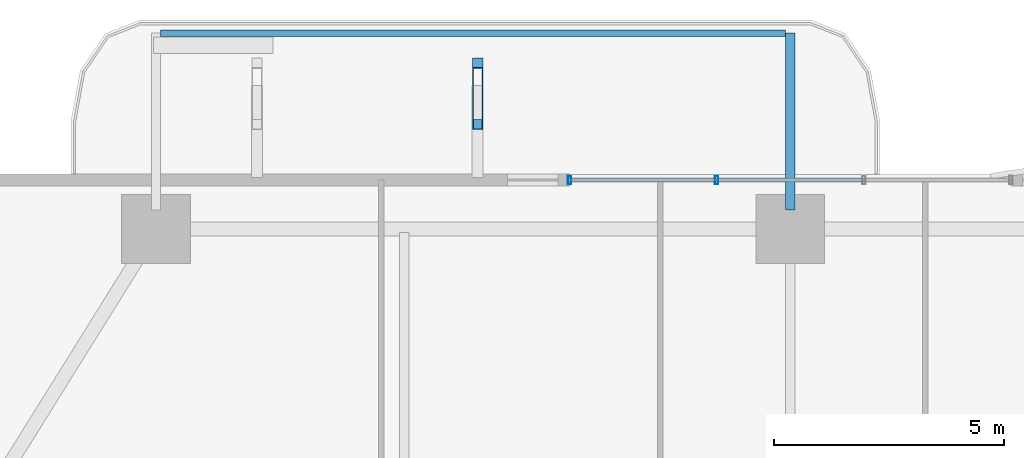
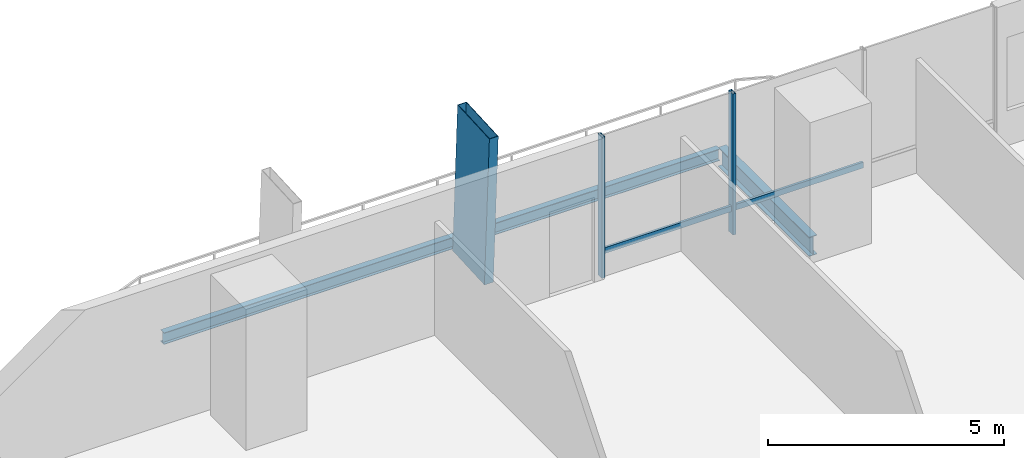
# One storey, part 11 of 24: 5 members, 2 beams, 1 element without a shape of its own.
"""IFC4 building model written with IfcOpenShell, lengths in metres."""

from ifc_helpers import new_model, si_unit, direction, frame, origin, origin_2d, place, context, subcontext, project, spatial, hollow_rectangle, i_section, extrude, material, layer, layer_set, material_profile, profile_set, type_object, element, aggregate, save


model = new_model("IFC4")

# Units and contexts
model_context = context("Model", 3, precision=1e-05, world=origin(), true_north=direction((0.0, 1.0)))
body_context = subcontext(model_context, "Body", "Model", "MODEL_VIEW")
ifc_project = project(units=[si_unit("LENGTHUNIT", "METRE"), si_unit("AREAUNIT", "SQUARE_METRE"), si_unit("VOLUMEUNIT", "CUBIC_METRE"), si_unit("PLANEANGLEUNIT", "RADIAN"), si_unit("MASSUNIT", "GRAM", prefix="KILO")], contexts=[model_context])

# Site, building, storey
site_placement = place(None, origin())
site = spatial("IfcSite", under=ifc_project, at=site_placement, CompositionType="ELEMENT")
building_placement = place(site_placement, origin())
building = spatial("IfcBuilding", under=site, at=building_placement, Name="Belovzor Exchange Tower", CompositionType="ELEMENT")
storey_placement = place(building_placement, frame((0.0, 0.0, 61.199951171875)))
storey = spatial("IfcBuildingStorey", under=building, at=storey_placement, Name="L14", CompositionType="ELEMENT", Elevation=61.199951171875)

# Member
ifc_material_1 = material(Name="Extruded Architectural Terracotta on Steel S355 Carrier", Category="masonry")
ifc_material_profile_1 = material_profile(ifc_material_1, hollow_rectangle(XDim=0.219970703125, YDim=1.35009765625, WallThickness=0.013916015625, at=origin_2d()))
ifc_profile_set_1 = profile_set([ifc_material_profile_1], Name="Extruded Architectural Terracotta on Steel S355 Carrier")
member_type_1 = type_object("IfcMemberType", Name="Base Arc Sweeping Terracotta Pylon Fin 1450", PredefinedType="USERDEFINED", material=ifc_profile_set_1)
member_1_placement = place(storey_placement, frame((22.0, 58.549072265625, -0.25), z_axis=(0.0, -0.053756276307, 0.998554086045), x_axis=(1.0, 0.0, 0.0)))
element("IfcMember", 1, at=member_1_placement, inside=storey, type_object=member_type_1, Name="FIN-TC145 Terracotta Facade Fin L14 N2", ObjectType="FIN", PredefinedType="USERDEFINED", context=body_context, shape_type="SweptSolid", body=[
    extrude(hollow_rectangle(XDim=0.219970703125, YDim=1.35009765625, WallThickness=0.013916015625, at=origin_2d()), origin(), (0.0, 0.0, 1.0), 3.90576171875),
])

# Beams
ifc_material_2 = material(Name="Steel S355", Category="steel")
ifc_material_profile_2 = material_profile(ifc_material_2, i_section(OverallWidth=0.199951171875, OverallDepth=0.5, WebThickness=0.01025390625, FlangeThickness=0.01611328125, at=origin_2d()))
ifc_profile_set_2 = profile_set([ifc_material_profile_2], Name="Steel S355")
beam_type_1 = type_object("IfcBeamType", Name="Planted Balcony Cantilever Beam IPE 500", PredefinedType="BEAM", material=ifc_profile_set_2)
beam_1_placement = place(storey_placement, frame((28.800048828125, 55.9130859375, -0.5), z_axis=(0.0, 1.0, 0.0), x_axis=(-1.0, 0.0, 0.0)))
element("IfcBeam", 2, at=beam_1_placement, inside=storey, type_object=beam_type_1, Name="BC-500 Planted Balcony Cantilever Beam IPE 500", PredefinedType="BEAM", context=body_context, shape_type="SweptSolid", body=[
    extrude(i_section(OverallWidth=0.199951171875, OverallDepth=0.5, WebThickness=0.01025390625, FlangeThickness=0.01611328125, at=origin_2d()), origin(), (0.0, 0.0, 1.0), 3.849853515625),
])
ifc_material_3 = material(Name="Steel S355", Category="steel")
ifc_material_profile_3 = material_profile(ifc_material_3, i_section(OverallWidth=0.14990234375, OverallDepth=0.300048828125, WebThickness=0.007080078125, FlangeThickness=0.0107421875, at=origin_2d()))
ifc_profile_set_3 = profile_set([ifc_material_profile_3], Name="Steel S355")
beam_type_2 = type_object("IfcBeamType", Name="Planted Balcony Fascia Edge Beam IPE 300", PredefinedType="BEAM", material=ifc_profile_set_3)
beam_2_placement = place(storey_placement, frame((28.699951171875, 59.762939453125, -0.39990234375), z_axis=(-1.0, 0.0, 0.0), x_axis=(0.0, -1.0, 0.0)))
element("IfcBeam", 3, at=beam_2_placement, inside=storey, type_object=beam_type_2, Name="BC-300 Planted Balcony Fascia Edge Beam IPE 300", PredefinedType="BEAM", context=body_context, shape_type="SweptSolid", body=[
    extrude(i_section(OverallWidth=0.14990234375, OverallDepth=0.300048828125, WebThickness=0.007080078125, FlangeThickness=0.0107421875, at=origin_2d()), origin(), (0.0, 0.0, 1.0), 13.599853515625),
])

# Curtain wall, members
ifc_material_4 = material(Name="Anodised Aluminium Framing", Category="aluminium")
ifc_layer = layer(ifc_material_4, 0.179931640625)
ifc_layer_set = layer_set([ifc_layer], Name="Anodised Aluminium Framing")
curtain_wall_type = type_object("IfcCurtainWallType", Name="Recessed Loggia Low-Iron Triple-Glazed Curtain Wall", PredefinedType="NOTDEFINED", material=ifc_layer_set)
curtain_wall_placement = place(storey_placement, origin())
curtain_wall = element("IfcCurtainWall", 4, at=curtain_wall_placement, inside=storey, type_object=curtain_wall_type, Name="CW3 Recessed Loggia Low-Iron Triple-Glazed Curtain Wall L14", PredefinedType="NOTDEFINED")
ifc_material_5 = material(Name="Steel S355", Category="steel")
ifc_material_profile_4 = material_profile(ifc_material_5, hollow_rectangle(XDim=0.074951171875, YDim=0.179931640625, WallThickness=0.0048828125, at=origin_2d()))
ifc_profile_set_4 = profile_set([ifc_material_profile_4], Name="Steel S355")
member_type_2 = type_object("IfcMemberType", Name="Thermally Broken Curtain Wall Mullion 180x75", PredefinedType="MULLION", material=ifc_profile_set_4)
member_2_placement = place(storey_placement, frame((24.0, 56.570068359375, 0.0), z_axis=(0.0, 0.0, 1.0), x_axis=(1.0, 0.0, 0.0)))
member_2 = element("IfcMember", 5, at=member_2_placement, type_object=member_type_2, Name="CW-M180 Curtain Wall Mullion 1", PredefinedType="MULLION", context=body_context, shape_type="SweptSolid", body=[
    extrude(hollow_rectangle(XDim=0.074951171875, YDim=0.179931640625, WallThickness=0.0048828125, at=origin_2d()), origin(), (0.0, 0.0, 1.0), 3.650146484375),
])
member_3_placement = place(storey_placement, frame((27.199951171875, 56.570068359375, 0.0), z_axis=(0.0, 0.0, 1.0), x_axis=(1.0, 0.0, 0.0)))
member_3 = element("IfcMember", 6, at=member_3_placement, type_object=member_type_2, Name="CW-M180 Curtain Wall Mullion 2", PredefinedType="MULLION", context=body_context, shape_type="SweptSolid", body=[
    extrude(hollow_rectangle(XDim=0.074951171875, YDim=0.179931640625, WallThickness=0.0048828125, at=origin_2d()), origin(), (0.0, 0.0, 1.0), 3.650146484375),
])
ifc_material_6 = material(Name="Steel S355", Category="steel")
ifc_material_profile_5 = material_profile(ifc_material_6, hollow_rectangle(XDim=0.06005859375, YDim=0.14990234375, WallThickness=0.00390625, at=origin_2d()))
ifc_profile_set_5 = profile_set([ifc_material_profile_5], Name="Steel S355")
member_type_3 = type_object("IfcMemberType", Name="Thermally Broken Curtain Wall Transom 150x60", PredefinedType="USERDEFINED", material=ifc_profile_set_5)
member_4_placement = place(storey_placement, frame((24.008056640625, 56.570068359375, 0.650146484375), z_axis=(1.0, 0.0, 0.0), x_axis=(0.0, 1.0, 0.0)))
member_4 = element("IfcMember", 7, at=member_4_placement, type_object=member_type_3, Name="CW-T150 Curtain Wall Transom 1", ObjectType="TRANSOM", PredefinedType="USERDEFINED", context=body_context, shape_type="SweptSolid", body=[
    extrude(hollow_rectangle(XDim=0.06005859375, YDim=0.14990234375, WallThickness=0.00390625, at=origin_2d()), origin(), (0.0, 0.0, 1.0), 3.183837890625),
])
member_5_placement = place(storey_placement, frame((27.2080078125, 56.570068359375, 0.650146484375), z_axis=(1.0, 0.0, 0.0), x_axis=(0.0, 1.0, 0.0)))
member_5 = element("IfcMember", 8, at=member_5_placement, type_object=member_type_3, Name="CW-T150 Curtain Wall Transom 2", ObjectType="TRANSOM", PredefinedType="USERDEFINED", context=body_context, shape_type="SweptSolid", body=[
    extrude(hollow_rectangle(XDim=0.06005859375, YDim=0.14990234375, WallThickness=0.00390625, at=origin_2d()), origin(), (0.0, 0.0, 1.0), 3.18408203125),
])
aggregate(curtain_wall, [member_2, member_3, member_4, member_5])

save(model, "model.ifc")
